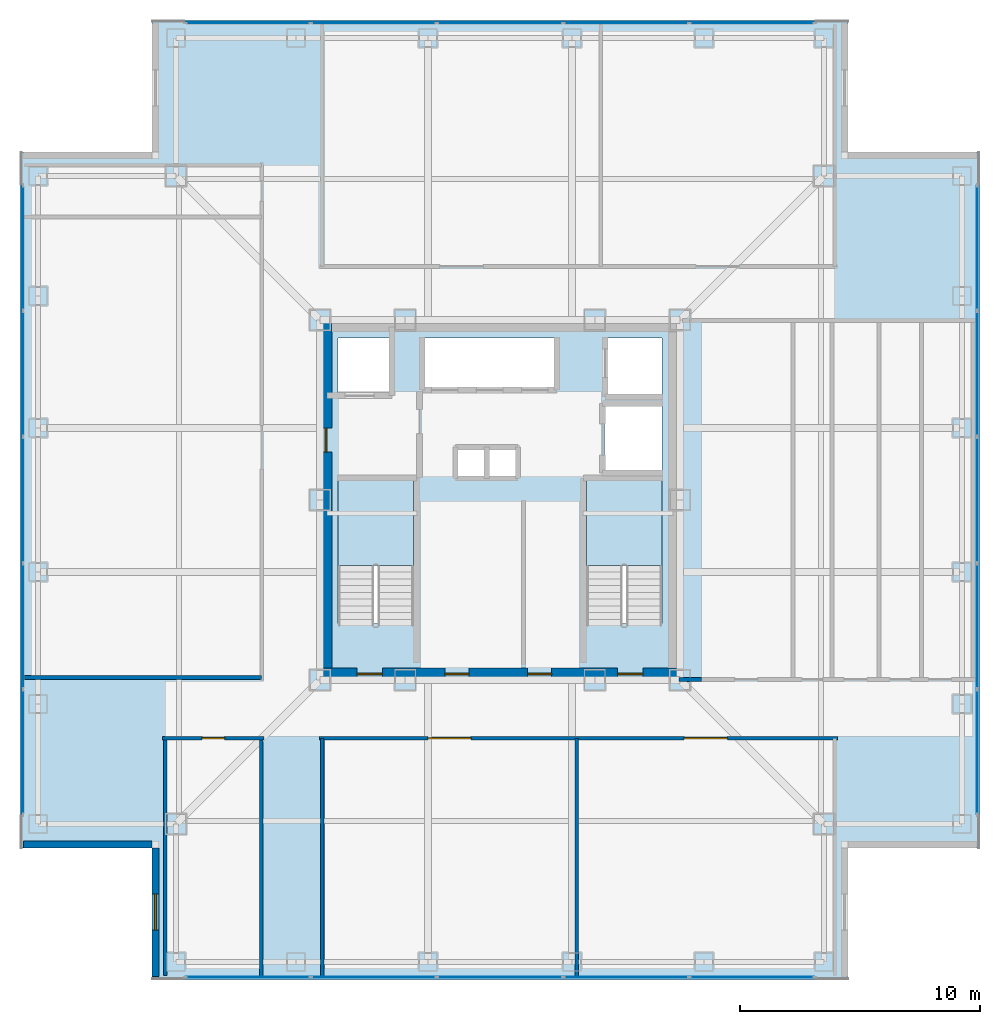
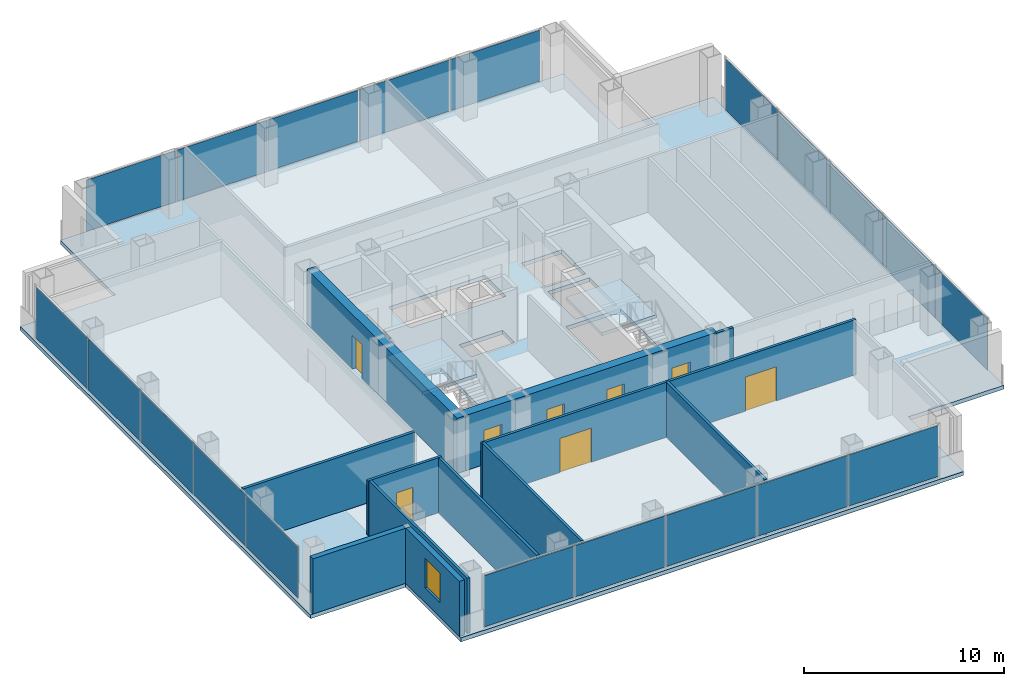
# One storey, part 10 of 18: 20 plates, 12 walls, 8 doors, 3 slabs, 1 window, 9 openings, 6 elements without a shape of their own.
"""IFC4 building model written with IfcOpenShell, lengths in metres."""

from ifc_helpers import new_model, si_unit, direction, frame, frame_2d, origin, origin_2d, place, context, subcontext, project, spatial, polyline, rectangle, outline, extrude, material, layer, layer_set, type_object, element, fill, aggregate, save


model = new_model("IFC4")

# Units and contexts
model_context = context("Model", 3, precision=1e-05, world=origin(), true_north=direction((0.0, 1.0)))
body_context = subcontext(model_context, "Body", "Model", "MODEL_VIEW")
ifc_project = project(units=[si_unit("LENGTHUNIT", "METRE"), si_unit("AREAUNIT", "SQUARE_METRE"), si_unit("VOLUMEUNIT", "CUBIC_METRE"), si_unit("PLANEANGLEUNIT", "RADIAN"), si_unit("MASSUNIT", "GRAM", prefix="KILO")], contexts=[model_context])

# Site, building, storey
site_placement = place(None, origin())
site = spatial("IfcSite", under=ifc_project, at=site_placement, CompositionType="ELEMENT")
building_placement = place(site_placement, origin())
building = spatial("IfcBuilding", under=site, at=building_placement, Name="Trevonay Congress Spire", CompositionType="ELEMENT")
storey_placement = place(building_placement, frame((0.0, 0.0, 198.60009765625)))
storey = spatial("IfcBuildingStorey", under=building, at=storey_placement, Name="L51", CompositionType="ELEMENT", Elevation=198.60009765625)

# Curtain wall, plates
ifc_material_1 = material(Name="Pale Anodised Aluminium EN AW-6063-T6", Category="aluminium")
ifc_layer_1 = layer(ifc_material_1, 0.169921875, Name="Pale Anodised Aluminium EN AW-6063-T6")
ifc_layer_set_1 = layer_set([ifc_layer_1], Name="Pale Anodised Aluminium EN AW-6063-T6")
curtain_wall_type = type_object("IfcCurtainWallType", Name="CW-SYS04-CORP-PALE-METAL", PredefinedType="NOTDEFINED", material=ifc_layer_set_1)
curtain_wall_1_placement = place(storey_placement, origin())
curtain_wall_1 = element("IfcCurtainWall", 1, at=curtain_wall_1_placement, inside=storey, type_object=curtain_wall_type, Name="L51 S unitised curtain wall", PredefinedType="NOTDEFINED")
ifc_material_2 = material(Name="Insulated Low-E Vision Glass IGU", Category="glass")
ifc_layer_2 = layer(ifc_material_2, 0.035888671875, Name="Insulated Low-E Vision Glass IGU")
ifc_layer_set_2 = layer_set([ifc_layer_2], Name="Insulated Low-E Vision Glass IGU")
plate_type = type_object("IfcPlateType", Name="CW-PANEL-IGU36-SILVER", PredefinedType="CURTAIN_PANEL", material=ifc_layer_set_2)
plate_1_placement = place(storey_placement, frame((-10.5048828125, -19.8798828125, 0.119873046875), z_axis=(0.0, 0.0, 1.0), x_axis=(1.0, 0.0, 0.0)))
plate_1 = element("IfcPlate", 2, at=plate_1_placement, type_object=plate_type, Name="CW04 panel 1.1", PredefinedType="CURTAIN_PANEL", context=body_context, shape_type="SweptSolid", body=[
    extrude(rectangle(XDim=5.169921875, YDim=0.035888671875, at=origin_2d()), origin(), (0.0, 0.0, 1.0), 3.1201171875),
])
plate_2_placement = place(storey_placement, frame((-5.260009765625, -19.8798828125, 0.119873046875), z_axis=(0.0, 0.0, 1.0), x_axis=(1.0, 0.0, 0.0)))
plate_2 = element("IfcPlate", 3, at=plate_2_placement, type_object=plate_type, Name="CW04 panel 2.1", PredefinedType="CURTAIN_PANEL", context=body_context, shape_type="SweptSolid", body=[
    extrude(rectangle(XDim=5.199951171875, YDim=0.035888671875, at=origin_2d()), origin(), (0.0, 0.0, 1.0), 3.1201171875),
])
plate_3_placement = place(storey_placement, frame((0.0, -19.8798828125, 0.119873046875), z_axis=(0.0, 0.0, 1.0), x_axis=(1.0, 0.0, 0.0)))
plate_3 = element("IfcPlate", 4, at=plate_3_placement, type_object=plate_type, Name="CW04 panel 3.1", PredefinedType="CURTAIN_PANEL", context=body_context, shape_type="SweptSolid", body=[
    extrude(rectangle(XDim=5.199951171875, YDim=0.035888671875, at=origin_2d()), origin(), (0.0, 0.0, 1.0), 3.1201171875),
])
plate_4_placement = place(storey_placement, frame((5.260009765625, -19.8798828125, 0.119873046875), z_axis=(0.0, 0.0, 1.0), x_axis=(1.0, 0.0, 0.0)))
plate_4 = element("IfcPlate", 5, at=plate_4_placement, type_object=plate_type, Name="CW04 panel 4.1", PredefinedType="CURTAIN_PANEL", context=body_context, shape_type="SweptSolid", body=[
    extrude(rectangle(XDim=5.199951171875, YDim=0.035888671875, at=origin_2d()), origin(), (0.0, 0.0, 1.0), 3.1201171875),
])
plate_5_placement = place(storey_placement, frame((10.5048828125, -19.8798828125, 0.119873046875), z_axis=(0.0, 0.0, 1.0), x_axis=(1.0, 0.0, 0.0)))
plate_5 = element("IfcPlate", 6, at=plate_5_placement, type_object=plate_type, Name="CW04 panel 5.1", PredefinedType="CURTAIN_PANEL", context=body_context, shape_type="SweptSolid", body=[
    extrude(rectangle(XDim=5.169921875, YDim=0.035888671875, at=origin_2d()), origin(), (0.0, 0.0, 1.0), 3.1201171875),
])
aggregate(curtain_wall_1, [plate_1, plate_2, plate_3, plate_4, plate_5])

curtain_wall_2_placement = place(storey_placement, origin())
curtain_wall_2 = element("IfcCurtainWall", 7, at=curtain_wall_2_placement, inside=storey, type_object=curtain_wall_type, Name="L51 N unitised curtain wall", PredefinedType="NOTDEFINED")
plate_6_placement = place(storey_placement, frame((-10.5048828125, 19.8798828125, 0.119873046875), z_axis=(0.0, 0.0, 1.0), x_axis=(1.0, 0.0, 0.0)))
plate_6 = element("IfcPlate", 8, at=plate_6_placement, type_object=plate_type, Name="CW04 panel 1.1", PredefinedType="CURTAIN_PANEL", context=body_context, shape_type="SweptSolid", body=[
    extrude(rectangle(XDim=5.169921875, YDim=0.035888671875, at=origin_2d()), origin(), (0.0, 0.0, 1.0), 3.1201171875),
])
plate_7_placement = place(storey_placement, frame((-5.260009765625, 19.8798828125, 0.119873046875), z_axis=(0.0, 0.0, 1.0), x_axis=(1.0, 0.0, 0.0)))
plate_7 = element("IfcPlate", 9, at=plate_7_placement, type_object=plate_type, Name="CW04 panel 2.1", PredefinedType="CURTAIN_PANEL", context=body_context, shape_type="SweptSolid", body=[
    extrude(rectangle(XDim=5.199951171875, YDim=0.035888671875, at=origin_2d()), origin(), (0.0, 0.0, 1.0), 3.1201171875),
])
plate_8_placement = place(storey_placement, frame((0.0, 19.8798828125, 0.119873046875), z_axis=(0.0, 0.0, 1.0), x_axis=(1.0, 0.0, 0.0)))
plate_8 = element("IfcPlate", 10, at=plate_8_placement, type_object=plate_type, Name="CW04 panel 3.1", PredefinedType="CURTAIN_PANEL", context=body_context, shape_type="SweptSolid", body=[
    extrude(rectangle(XDim=5.199951171875, YDim=0.035888671875, at=origin_2d()), origin(), (0.0, 0.0, 1.0), 3.1201171875),
])
plate_9_placement = place(storey_placement, frame((5.260009765625, 19.8798828125, 0.119873046875), z_axis=(0.0, 0.0, 1.0), x_axis=(1.0, 0.0, 0.0)))
plate_9 = element("IfcPlate", 11, at=plate_9_placement, type_object=plate_type, Name="CW04 panel 4.1", PredefinedType="CURTAIN_PANEL", context=body_context, shape_type="SweptSolid", body=[
    extrude(rectangle(XDim=5.199951171875, YDim=0.035888671875, at=origin_2d()), origin(), (0.0, 0.0, 1.0), 3.1201171875),
])
plate_10_placement = place(storey_placement, frame((10.5048828125, 19.8798828125, 0.119873046875), z_axis=(0.0, 0.0, 1.0), x_axis=(1.0, 0.0, 0.0)))
plate_10 = element("IfcPlate", 12, at=plate_10_placement, type_object=plate_type, Name="CW04 panel 5.1", PredefinedType="CURTAIN_PANEL", context=body_context, shape_type="SweptSolid", body=[
    extrude(rectangle(XDim=5.169921875, YDim=0.035888671875, at=origin_2d()), origin(), (0.0, 0.0, 1.0), 3.1201171875),
])
aggregate(curtain_wall_2, [plate_6, plate_7, plate_8, plate_9, plate_10])

curtain_wall_3_placement = place(storey_placement, origin())
curtain_wall_3 = element("IfcCurtainWall", 13, at=curtain_wall_3_placement, inside=storey, type_object=curtain_wall_type, Name="L51 W unitised curtain wall", PredefinedType="NOTDEFINED")
plate_11_placement = place(storey_placement, frame((-19.8798828125, -10.5048828125, 0.119873046875), z_axis=(0.0, 0.0, 1.0), x_axis=(0.0, 1.0, 0.0)))
plate_11 = element("IfcPlate", 14, at=plate_11_placement, type_object=plate_type, Name="CW04 panel 1.1", PredefinedType="CURTAIN_PANEL", context=body_context, shape_type="SweptSolid", body=[
    extrude(rectangle(XDim=5.169921875, YDim=0.035888671875, at=origin_2d()), origin(), (0.0, 0.0, 1.0), 3.1201171875),
])
plate_12_placement = place(storey_placement, frame((-19.8798828125, -5.260009765625, 0.119873046875), z_axis=(0.0, 0.0, 1.0), x_axis=(0.0, 1.0, 0.0)))
plate_12 = element("IfcPlate", 15, at=plate_12_placement, type_object=plate_type, Name="CW04 panel 2.1", PredefinedType="CURTAIN_PANEL", context=body_context, shape_type="SweptSolid", body=[
    extrude(rectangle(XDim=5.199951171875, YDim=0.035888671875, at=origin_2d()), origin(), (0.0, 0.0, 1.0), 3.1201171875),
])
plate_13_placement = place(storey_placement, frame((-19.8798828125, 0.0, 0.119873046875), z_axis=(0.0, 0.0, 1.0), x_axis=(0.0, 1.0, 0.0)))
plate_13 = element("IfcPlate", 16, at=plate_13_placement, type_object=plate_type, Name="CW04 panel 3.1", PredefinedType="CURTAIN_PANEL", context=body_context, shape_type="SweptSolid", body=[
    extrude(rectangle(XDim=5.199951171875, YDim=0.035888671875, at=origin_2d()), origin(), (0.0, 0.0, 1.0), 3.1201171875),
])
plate_14_placement = place(storey_placement, frame((-19.8798828125, 5.260009765625, 0.119873046875), z_axis=(0.0, 0.0, 1.0), x_axis=(0.0, 1.0, 0.0)))
plate_14 = element("IfcPlate", 17, at=plate_14_placement, type_object=plate_type, Name="CW04 panel 4.1", PredefinedType="CURTAIN_PANEL", context=body_context, shape_type="SweptSolid", body=[
    extrude(rectangle(XDim=5.199951171875, YDim=0.035888671875, at=origin_2d()), origin(), (0.0, 0.0, 1.0), 3.1201171875),
])
plate_15_placement = place(storey_placement, frame((-19.8798828125, 10.5048828125, 0.119873046875), z_axis=(0.0, 0.0, 1.0), x_axis=(0.0, 1.0, 0.0)))
plate_15 = element("IfcPlate", 18, at=plate_15_placement, type_object=plate_type, Name="CW04 panel 5.1", PredefinedType="CURTAIN_PANEL", context=body_context, shape_type="SweptSolid", body=[
    extrude(rectangle(XDim=5.169921875, YDim=0.035888671875, at=origin_2d()), origin(), (0.0, 0.0, 1.0), 3.1201171875),
])
aggregate(curtain_wall_3, [plate_11, plate_12, plate_13, plate_14, plate_15])

curtain_wall_4_placement = place(storey_placement, origin())
curtain_wall_4 = element("IfcCurtainWall", 19, at=curtain_wall_4_placement, inside=storey, type_object=curtain_wall_type, Name="L51 E unitised curtain wall", PredefinedType="NOTDEFINED")
plate_16_placement = place(storey_placement, frame((19.8798828125, -10.5048828125, 0.119873046875), z_axis=(0.0, 0.0, 1.0), x_axis=(0.0, 1.0, 0.0)))
plate_16 = element("IfcPlate", 20, at=plate_16_placement, type_object=plate_type, Name="CW04 panel 1.1", PredefinedType="CURTAIN_PANEL", context=body_context, shape_type="SweptSolid", body=[
    extrude(rectangle(XDim=5.169921875, YDim=0.035888671875, at=origin_2d()), origin(), (0.0, 0.0, 1.0), 3.1201171875),
])
plate_17_placement = place(storey_placement, frame((19.8798828125, -5.260009765625, 0.119873046875), z_axis=(0.0, 0.0, 1.0), x_axis=(0.0, 1.0, 0.0)))
plate_17 = element("IfcPlate", 21, at=plate_17_placement, type_object=plate_type, Name="CW04 panel 2.1", PredefinedType="CURTAIN_PANEL", context=body_context, shape_type="SweptSolid", body=[
    extrude(rectangle(XDim=5.199951171875, YDim=0.035888671875, at=origin_2d()), origin(), (0.0, 0.0, 1.0), 3.1201171875),
])
plate_18_placement = place(storey_placement, frame((19.8798828125, 0.0, 0.119873046875), z_axis=(0.0, 0.0, 1.0), x_axis=(0.0, 1.0, 0.0)))
plate_18 = element("IfcPlate", 22, at=plate_18_placement, type_object=plate_type, Name="CW04 panel 3.1", PredefinedType="CURTAIN_PANEL", context=body_context, shape_type="SweptSolid", body=[
    extrude(rectangle(XDim=5.199951171875, YDim=0.035888671875, at=origin_2d()), origin(), (0.0, 0.0, 1.0), 3.1201171875),
])
plate_19_placement = place(storey_placement, frame((19.8798828125, 5.260009765625, 0.119873046875), z_axis=(0.0, 0.0, 1.0), x_axis=(0.0, 1.0, 0.0)))
plate_19 = element("IfcPlate", 23, at=plate_19_placement, type_object=plate_type, Name="CW04 panel 4.1", PredefinedType="CURTAIN_PANEL", context=body_context, shape_type="SweptSolid", body=[
    extrude(rectangle(XDim=5.199951171875, YDim=0.035888671875, at=origin_2d()), origin(), (0.0, 0.0, 1.0), 3.1201171875),
])
plate_20_placement = place(storey_placement, frame((19.8798828125, 10.5048828125, 0.119873046875), z_axis=(0.0, 0.0, 1.0), x_axis=(0.0, 1.0, 0.0)))
plate_20 = element("IfcPlate", 24, at=plate_20_placement, type_object=plate_type, Name="CW04 panel 5.1", PredefinedType="CURTAIN_PANEL", context=body_context, shape_type="SweptSolid", body=[
    extrude(rectangle(XDim=5.169921875, YDim=0.035888671875, at=origin_2d()), origin(), (0.0, 0.0, 1.0), 3.1201171875),
])
aggregate(curtain_wall_4, [plate_16, plate_17, plate_18, plate_19, plate_20])

# Stair, slab
ifc_material_3 = material(Name="Concrete C40/50", Category="concrete")
stair_type_1 = type_object("IfcStairType", Name="STR-ST-1", PredefinedType="HALF_TURN_STAIR", material=ifc_material_3)
stair_1_placement = place(storey_placement, origin())
stair_1 = element("IfcStair", 25, at=stair_1_placement, inside=storey, type_object=stair_type_1, Name="L51 Protected Exit Stair ST-1", PredefinedType="HALF_TURN_STAIR")
ifc_layer_3 = layer(ifc_material_3, 0.199951171875, Name="Concrete C40/50")
ifc_layer_set_3 = layer_set([ifc_layer_3], Name="Concrete C40/50")
slab_type_1 = type_object("IfcSlabType", Name="SLB-STAIR-LAND-200", PredefinedType="LANDING", material=ifc_layer_set_3)
slab_1_placement = place(storey_placement, frame((0.0, 0.0, 1.599853515625)))
slab_1 = element("IfcSlab", 26, at=slab_1_placement, type_object=slab_type_1, Name="ST-1 landing 1", PredefinedType="LANDING", context=body_context, shape_type="SweptSolid", body=[
    extrude(outline(polyline([(-3.60009765625, -2.72998046875), (-3.60009765625, 0.85009765625), (-6.75, 0.85009765625), (-6.75, -2.72998046875), (-3.60009765625, -2.72998046875)])), origin(), (0.0, 0.0, 1.0), 0.199951171875),
])
aggregate(stair_1, [slab_1])

stair_type_2 = type_object("IfcStairType", Name="STR-ST-2", PredefinedType="HALF_TURN_STAIR", material=ifc_material_3)
stair_2_placement = place(storey_placement, origin())
stair_2 = element("IfcStair", 27, at=stair_2_placement, inside=storey, type_object=stair_type_2, Name="L51 Protected Exit Stair ST-2", PredefinedType="HALF_TURN_STAIR")
slab_2_placement = place(storey_placement, frame((0.0, 0.0, 1.599853515625)))
slab_2 = element("IfcSlab", 28, at=slab_2_placement, type_object=slab_type_1, Name="ST-2 landing 1", PredefinedType="LANDING", context=body_context, shape_type="SweptSolid", body=[
    extrude(outline(polyline([(6.75, -2.72998046875), (6.75, 0.85009765625), (3.60009765625, 0.85009765625), (3.60009765625, -2.72998046875), (6.75, -2.72998046875)])), origin(), (0.0, 0.0, 1.0), 0.199951171875),
])
aggregate(stair_2, [slab_2])

# Slab
ifc_layer_4 = layer(ifc_material_3, 0.239990234375, Name="Concrete C40/50")
ifc_layer_set_4 = layer_set([ifc_layer_4], Name="Concrete C40/50")
slab_type_2 = type_object("IfcSlabType", Name="SLB-TOW2-240", PredefinedType="FLOOR", material=ifc_layer_set_4)
slab_3_placement = place(storey_placement, frame((0.0, 0.0, -0.239990234375)))
element("IfcSlab", 29, at=slab_3_placement, inside=storey, type_object=slab_type_2, Name="L51 structural floor slab", PredefinedType="FLOOR", context=body_context, shape_type="SweptSolid", body=[
    extrude(outline(polyline([(-14.5, -20.0), (14.5, -20.0), (14.5, -14.5), (20.0, -14.5), (20.0, 14.5), (14.5, 14.5), (14.5, 20.0), (-14.5, 20.0), (-14.5, 14.5), (-20.0, 14.5), (-20.0, -14.5), (-14.5, -14.5), (-14.5, -20.0)]), holes=[polyline([(-3.60009765625, -5.14990234375), (-3.60009765625, 0.85009765625), (-6.75, 0.85009765625), (-6.75, -5.14990234375), (-3.60009765625, -5.14990234375)]), polyline([(6.75, -5.14990234375), (6.75, 0.85009765625), (3.60009765625, 0.85009765625), (3.60009765625, -5.14990234375), (6.75, -5.14990234375)]), polyline([(-3.199951171875, 4.64990234375), (2.340087890625, 4.64990234375), (2.340087890625, 6.75), (-3.199951171875, 6.75), (-3.199951171875, 4.64990234375)]), polyline([(-6.75, 4.35009765625), (-4.449951171875, 4.35009765625), (-4.449951171875, 6.75), (-6.75, 6.75), (-6.75, 4.35009765625)]), polyline([(4.449951171875, 4.35009765625), (6.75, 4.35009765625), (6.75, 6.75), (4.449951171875, 6.75), (4.449951171875, 4.35009765625)]), polyline([(4.35009765625, 1.199951171875), (6.75, 1.199951171875), (6.75, 3.949951171875), (4.35009765625, 3.949951171875), (4.35009765625, 1.199951171875)]), polyline([(-1.800048828125, 0.949951171875), (0.699951171875, 0.949951171875), (0.699951171875, 2.14990234375), (-1.800048828125, 2.14990234375), (-1.800048828125, 0.949951171875)])]), origin(), (0.0, 0.0, 1.0), 0.239990234375),
])

# Wall, openings, doors
ifc_material_4 = material(Name="Concrete C50/60", Category="concrete")
ifc_layer_5 = layer(ifc_material_4, 0.5, Name="Concrete C50/60")
ifc_layer_set_5 = layer_set([ifc_layer_5], Name="Concrete C50/60")
wall_type_1 = type_object("IfcWallType", Name="WAL-CORE-500", PredefinedType="SHEAR", material=ifc_layer_set_5)
wall_1_placement = place(storey_placement, frame((-7.5, -7.25, 0.0), z_axis=(0.0, 0.0, 1.0), x_axis=(1.0, 0.0, 0.0)))
wall_1 = element("IfcWall", 30, at=wall_1_placement, inside=storey, type_object=wall_type_1, Name="L51 South structural core shear wall", PredefinedType="SHEAR", context=body_context, shape_type="SweptSolid", body=[
    extrude(rectangle(XDim=15.0, YDim=0.5, at=frame_2d((7.5, 0.0))), origin(), (0.0, 0.0, 1.0), 3.35986328125),
])
opening_1_placement = place(wall_1_placement, frame((1.550048828125, 0.0, 0.0)))
opening_1 = element("IfcOpeningElement", 31, at=opening_1_placement, cuts=wall_1, Name="Opening D05", PredefinedType="OPENING", context=body_context, shape_type="SweptSolid", body=[
    extrude(rectangle(XDim=1.050048828125, YDim=2.080078125, at=frame_2d((0.52490234375, 1.0400390625))), frame((0.0, 0.260009765625, 0.0), z_axis=(0.0, -1.0, 0.0), x_axis=(1.0, 0.0, 0.0)), (0.0, 0.0, 1.0), 0.52001953125),
])
opening_2_placement = place(wall_1_placement, frame((12.39990234375, 0.0, 0.0)))
opening_2 = element("IfcOpeningElement", 32, at=opening_2_placement, cuts=wall_1, Name="Opening D05", PredefinedType="OPENING", context=body_context, shape_type="SweptSolid", body=[
    extrude(rectangle(XDim=1.050048828125, YDim=2.080078125, at=frame_2d((0.52490234375, 1.0400390625))), frame((0.0, 0.260009765625, 0.0), z_axis=(0.0, -1.0, 0.0), x_axis=(1.0, 0.0, 0.0)), (0.0, 0.0, 1.0), 0.52001953125),
])
opening_3_placement = place(wall_1_placement, frame((5.199951171875, 0.0, 0.0)))
opening_3 = element("IfcOpeningElement", 33, at=opening_3_placement, cuts=wall_1, Name="Opening D06", PredefinedType="OPENING", context=body_context, shape_type="SweptSolid", body=[
    extrude(rectangle(XDim=1.0, YDim=2.080078125, at=frame_2d((0.5, 1.0400390625))), frame((0.0, 0.260009765625, 0.0), z_axis=(0.0, -1.0, 0.0), x_axis=(1.0, 0.0, 0.0)), (0.0, 0.0, 1.0), 0.52001953125),
])
opening_4_placement = place(wall_1_placement, frame((8.64990234375, 0.0, 0.0)))
opening_4 = element("IfcOpeningElement", 34, at=opening_4_placement, cuts=wall_1, Name="Opening D06", PredefinedType="OPENING", context=body_context, shape_type="SweptSolid", body=[
    extrude(rectangle(XDim=1.0, YDim=2.080078125, at=frame_2d((0.5, 1.0400390625))), frame((0.0, 0.260009765625, 0.0), z_axis=(0.0, -1.0, 0.0), x_axis=(1.0, 0.0, 0.0)), (0.0, 0.0, 1.0), 0.52001953125),
])
ifc_material_5 = material(Name="Steel ASTM A572 Grade 50", Category="steel")
door_type_1 = type_object("IfcDoorType", Name="DOR-FIRE-100", OperationType="NOTDEFINED", PredefinedType="DOOR", material=ifc_material_5)
door_1_placement = place(opening_3_placement, origin())
door_1 = element("IfcDoor", 35, at=door_1_placement, inside=storey, type_object=door_type_1, Name="L51 South Core Room 1 Door", OperationType="SINGLE_SWING_LEFT", OverallHeight=2.080078125, OverallWidth=1.0, PredefinedType="DOOR", context=body_context, shape_type="SweptSolid", body=[
    extrude(rectangle(XDim=1.0, YDim=2.080078125, at=frame_2d((0.5, 1.0400390625))), frame((0.0, 0.02490234375, 0.0), z_axis=(0.0, -1.0, 0.0), x_axis=(1.0, 0.0, 0.0)), (0.0, 0.0, 1.0), 0.050048828125),
])
fill(opening_3, door_1)
door_2_placement = place(opening_4_placement, origin())
door_2 = element("IfcDoor", 36, at=door_2_placement, inside=storey, type_object=door_type_1, Name="L51 South Core Room 2 Door", OperationType="SINGLE_SWING_RIGHT", OverallHeight=2.080078125, OverallWidth=1.0, PredefinedType="DOOR", context=body_context, shape_type="SweptSolid", body=[
    extrude(rectangle(XDim=1.0, YDim=2.080078125, at=frame_2d((0.5, 1.0400390625))), frame((0.0, 0.02490234375, 0.0), z_axis=(0.0, -1.0, 0.0), x_axis=(1.0, 0.0, 0.0)), (0.0, 0.0, 1.0), 0.050048828125),
])
fill(opening_4, door_2)
door_type_2 = type_object("IfcDoorType", Name="DOR-STAIR-110", OperationType="NOTDEFINED", PredefinedType="DOOR", material=ifc_material_5)
door_3_placement = place(opening_1_placement, origin())
door_3 = element("IfcDoor", 37, at=door_3_placement, inside=storey, type_object=door_type_2, Name="L51 Protected Stair ST-1 Door", OperationType="SINGLE_SWING_RIGHT", OverallHeight=2.080078125, OverallWidth=1.050048828125, PredefinedType="DOOR", context=body_context, shape_type="SweptSolid", body=[
    extrude(rectangle(XDim=1.050048828125, YDim=2.080078125, at=frame_2d((0.52490234375, 1.0400390625))), frame((0.0, 0.02490234375, 0.0), z_axis=(0.0, -1.0, 0.0), x_axis=(1.0, 0.0, 0.0)), (0.0, 0.0, 1.0), 0.050048828125),
])
fill(opening_1, door_3)
door_4_placement = place(opening_2_placement, origin())
door_4 = element("IfcDoor", 38, at=door_4_placement, inside=storey, type_object=door_type_2, Name="L51 Protected Stair ST-2 Door", OperationType="SINGLE_SWING_LEFT", OverallHeight=2.080078125, OverallWidth=1.050048828125, PredefinedType="DOOR", context=body_context, shape_type="SweptSolid", body=[
    extrude(rectangle(XDim=1.050048828125, YDim=2.080078125, at=frame_2d((0.52490234375, 1.0400390625))), frame((0.0, 0.02490234375, 0.0), z_axis=(0.0, -1.0, 0.0), x_axis=(1.0, 0.0, 0.0)), (0.0, 0.0, 1.0), 0.050048828125),
])
fill(opening_2, door_4)

# Wall, opening, door
wall_2_placement = place(storey_placement, frame((-7.25, -7.5, 0.0), z_axis=(0.0, 0.0, 1.0), x_axis=(0.0, 1.0, 0.0)))
wall_2 = element("IfcWall", 39, at=wall_2_placement, inside=storey, type_object=wall_type_1, Name="L51 West structural core shear wall", PredefinedType="SHEAR", context=body_context, shape_type="SweptSolid", body=[
    extrude(rectangle(XDim=15.0, YDim=0.5, at=frame_2d((7.5, 0.0))), origin(), (0.0, 0.0, 1.0), 3.35986328125),
])
opening_5_placement = place(wall_2_placement, frame((9.5, 0.0, 0.0)))
opening_5 = element("IfcOpeningElement", 40, at=opening_5_placement, cuts=wall_2, Name="Opening D06", PredefinedType="OPENING", context=body_context, shape_type="SweptSolid", body=[
    extrude(rectangle(XDim=1.0, YDim=2.080078125, at=frame_2d((0.5, 1.0400390625))), frame((0.0, 0.260009765625, 0.0), z_axis=(0.0, -1.0, 0.0), x_axis=(1.0, 0.0, 0.0)), (0.0, 0.0, 1.0), 0.52001953125),
])
door_5_placement = place(opening_5_placement, origin())
door_5 = element("IfcDoor", 41, at=door_5_placement, inside=storey, type_object=door_type_1, Name="L51 Firefighting Lift Lobby West Corridor Door", OperationType="SINGLE_SWING_RIGHT", OverallHeight=2.080078125, OverallWidth=1.0, PredefinedType="DOOR", context=body_context, shape_type="SweptSolid", body=[
    extrude(rectangle(XDim=1.0, YDim=2.080078125, at=frame_2d((0.5, 1.0400390625))), frame((0.0, 0.02490234375, 0.0), z_axis=(0.0, -1.0, 0.0), x_axis=(1.0, 0.0, 0.0)), (0.0, 0.0, 1.0), 0.050048828125),
])
fill(opening_5, door_5)

ifc_layer_6 = layer(ifc_material_3, 0.14990234375, Name="Concrete C40/50")
ifc_layer_set_6 = layer_set([ifc_layer_6], Name="Concrete C40/50")
wall_type_2 = type_object("IfcWallType", Name="WAL-CORR-150", PredefinedType="PARTITIONING", material=ifc_layer_set_6)
wall_3_placement = place(storey_placement, frame((-14.070068359375, -9.929931640625, 0.0), z_axis=(0.0, 0.0, 1.0), x_axis=(1.0, 0.0, 0.0)))
wall_3 = element("IfcWall", 42, at=wall_3_placement, inside=storey, type_object=wall_type_2, Name="L51 interior wall WP-L51SW-COR", PredefinedType="PARTITIONING", context=body_context, shape_type="SweptSolid", body=[
    extrude(rectangle(XDim=4.239990234375, YDim=0.14990234375, at=frame_2d((2.1201171875, 0.0))), origin(), (0.0, 0.0, 1.0), 3.35986328125),
])
opening_6_placement = place(wall_3_placement, frame((1.64501953125, 0.0, 0.0)))
opening_6 = element("IfcOpeningElement", 43, at=opening_6_placement, cuts=wall_3, Name="Opening D07", PredefinedType="OPENING", context=body_context, shape_type="SweptSolid", body=[
    extrude(rectangle(XDim=0.949951171875, YDim=2.06005859375, at=frame_2d((0.47509765625, 1.030029296875))), frame((0.0, 0.0849609375, 0.0), z_axis=(0.0, -1.0, 0.0), x_axis=(1.0, 0.0, 0.0)), (0.0, 0.0, 1.0), 0.169921875),
])
door_type_3 = type_object("IfcDoorType", Name="DOR-OFFICE-95", OperationType="NOTDEFINED", PredefinedType="DOOR", material=ifc_material_1)
door_6_placement = place(opening_6_placement, origin())
door_6 = element("IfcDoor", 44, at=door_6_placement, inside=storey, type_object=door_type_3, Name="L51 Sommelier Wine Tasting Cellar Door", OperationType="SINGLE_SWING_RIGHT", OverallHeight=2.06005859375, OverallWidth=0.949951171875, PredefinedType="DOOR", context=body_context, shape_type="SweptSolid", body=[
    extrude(rectangle(XDim=0.949951171875, YDim=2.06005859375, at=frame_2d((0.47509765625, 1.030029296875))), frame((0.0, 0.02490234375, 0.0), z_axis=(0.0, -1.0, 0.0), x_axis=(1.0, 0.0, 0.0)), (0.0, 0.0, 1.0), 0.050048828125),
])
fill(opening_6, door_6)

# Wall, openings, doors
wall_4_placement = place(storey_placement, frame((-7.52001953125, -9.929931640625, 0.0), z_axis=(0.0, 0.0, 1.0), x_axis=(1.0, 0.0, 0.0)))
wall_4 = element("IfcWall", 45, at=wall_4_placement, inside=storey, type_object=wall_type_2, Name="L51 interior wall WP-L51SE-COR", PredefinedType="PARTITIONING", context=body_context, shape_type="SweptSolid", body=[
    extrude(rectangle(XDim=21.590087890625, YDim=0.14990234375, at=frame_2d((10.794921875, 0.0))), origin(), (0.0, 0.0, 1.0), 3.35986328125),
])
opening_7_placement = place(wall_4_placement, frame((4.52001953125, 0.0, 0.0)))
opening_7 = element("IfcOpeningElement", 46, at=opening_7_placement, cuts=wall_4, Name="Opening D09", PredefinedType="OPENING", context=body_context, shape_type="SweptSolid", body=[
    extrude(rectangle(XDim=1.800048828125, YDim=2.080078125, at=frame_2d((0.89990234375, 1.0400390625))), frame((0.0, 0.0849609375, 0.0), z_axis=(0.0, -1.0, 0.0), x_axis=(1.0, 0.0, 0.0)), (0.0, 0.0, 1.0), 0.169921875),
])
opening_8_placement = place(wall_4_placement, frame((15.195068359375, 0.0, 0.0)))
opening_8 = element("IfcOpeningElement", 47, at=opening_8_placement, cuts=wall_4, Name="Opening D09", PredefinedType="OPENING", context=body_context, shape_type="SweptSolid", body=[
    extrude(rectangle(XDim=1.800048828125, YDim=2.080078125, at=frame_2d((0.89990234375, 1.0400390625))), frame((0.0, 0.0849609375, 0.0), z_axis=(0.0, -1.0, 0.0), x_axis=(1.0, 0.0, 0.0)), (0.0, 0.0, 1.0), 0.169921875),
])
door_type_4 = type_object("IfcDoorType", Name="DOR-CONF-DBL", OperationType="DOUBLE_DOOR_SINGLE_SWING", PredefinedType="DOOR", material=ifc_material_1)
door_7_placement = place(opening_7_placement, origin())
door_7 = element("IfcDoor", 48, at=door_7_placement, inside=storey, type_object=door_type_4, Name="L51 Corporate Main Production Kitchen Door", OperationType="DOUBLE_DOOR_SINGLE_SWING", OverallHeight=2.080078125, OverallWidth=1.800048828125, PredefinedType="DOOR", context=body_context, shape_type="SweptSolid", body=[
    extrude(rectangle(XDim=1.800048828125, YDim=2.080078125, at=frame_2d((0.89990234375, 1.0400390625))), frame((0.0, 0.02490234375, 0.0), z_axis=(0.0, -1.0, 0.0), x_axis=(1.0, 0.0, 0.0)), (0.0, 0.0, 1.0), 0.050048828125),
])
fill(opening_7, door_7)
door_8_placement = place(opening_8_placement, origin())
door_8 = element("IfcDoor", 49, at=door_8_placement, inside=storey, type_object=door_type_4, Name="L51 Pastry and Garde-Manger Kitchen Door", OperationType="DOUBLE_DOOR_SINGLE_SWING", OverallHeight=2.080078125, OverallWidth=1.800048828125, PredefinedType="DOOR", context=body_context, shape_type="SweptSolid", body=[
    extrude(rectangle(XDim=1.800048828125, YDim=2.080078125, at=frame_2d((0.89990234375, 1.0400390625))), frame((0.0, 0.02490234375, 0.0), z_axis=(0.0, -1.0, 0.0), x_axis=(1.0, 0.0, 0.0)), (0.0, 0.0, 1.0), 0.050048828125),
])
fill(opening_8, door_8)

# Wall
wall_5_placement = place(storey_placement, frame((7.449951171875, -7.47998046875, 0.0), z_axis=(0.0, 0.0, 1.0), x_axis=(1.0, 0.0, 0.0)))
element("IfcWall", 50, at=wall_5_placement, inside=storey, type_object=wall_type_2, Name="L51 interior wall WP-L51E-STUB", PredefinedType="PARTITIONING", context=body_context, shape_type="SweptSolid", body=[
    extrude(rectangle(XDim=0.949951171875, YDim=0.14990234375, at=frame_2d((0.47509765625, 0.0))), origin(), (0.0, 0.0, 1.0), 3.35986328125),
])

# Wall, opening, window
ifc_material_6 = material(Name="Precast concrete C40/50", Category="concrete")
ifc_layer_7 = layer(ifc_material_6, 0.300048828125, Name="Precast concrete C40/50")
ifc_layer_set_7 = layer_set([ifc_layer_7], Name="Precast concrete C40/50")
wall_type_3 = type_object("IfcWallType", Name="WAL-EXT-PRECAST-300", PredefinedType="SOLIDWALL", material=ifc_layer_set_7)
wall_6_placement = place(storey_placement, frame((-14.35009765625, -19.85009765625, 0.0), z_axis=(0.0, 0.0, 1.0), x_axis=(0.0, 1.0, 0.0)))
wall_6 = element("IfcWall", 51, at=wall_6_placement, inside=storey, type_object=wall_type_3, Name="L51 SW re-entrant notch exterior wall 1", PredefinedType="SOLIDWALL", context=body_context, shape_type="SweptSolid", body=[
    extrude(rectangle(XDim=5.35009765625, YDim=0.300048828125, at=frame_2d((2.675048828125, 0.0))), origin(), (0.0, 0.0, 1.0), 3.35986328125),
])
opening_9_placement = place(wall_6_placement, frame((1.925048828125, 0.0, 0.89990234375)))
opening_9 = element("IfcOpeningElement", 52, at=opening_9_placement, cuts=wall_6, Name="Opening WN03", PredefinedType="OPENING", context=body_context, shape_type="SweptSolid", body=[
    extrude(rectangle(XDim=1.5, YDim=1.800048828125, at=frame_2d((0.75, 0.89990234375))), frame((0.0, 0.16015625, 0.0), z_axis=(0.0, -1.0, 0.0), x_axis=(1.0, 0.0, 0.0)), (0.0, 0.0, 1.0), 0.320068359375),
])
window_type = type_object("IfcWindowType", Name="WIN-NOTCH-150X180", PartitioningType="SINGLE_PANEL", PredefinedType="WINDOW", material=ifc_material_2)
window_placement = place(opening_9_placement, origin())
window = element("IfcWindow", 53, at=window_placement, inside=storey, type_object=window_type, Name="L51 SW corner notch window", OverallHeight=1.800048828125, OverallWidth=1.5, PartitioningType="SINGLE_PANEL", PredefinedType="WINDOW", context=body_context, shape_type="SweptSolid", body=[
    extrude(rectangle(XDim=1.5, YDim=1.800048828125, at=frame_2d((0.75, 0.89990234375))), frame((0.0, 0.030029296875, 0.0), z_axis=(0.0, -1.0, 0.0), x_axis=(1.0, 0.0, 0.0)), (0.0, 0.0, 1.0), 0.06005859375),
])
fill(opening_9, window)

# Walls
wall_7_placement = place(storey_placement, frame((-19.85009765625, -14.35009765625, 0.0), z_axis=(0.0, 0.0, 1.0), x_axis=(1.0, 0.0, 0.0)))
element("IfcWall", 54, at=wall_7_placement, inside=storey, type_object=wall_type_3, Name="L51 SW re-entrant notch exterior wall 2", PredefinedType="SOLIDWALL", context=body_context, shape_type="SweptSolid", body=[
    extrude(rectangle(XDim=5.35009765625, YDim=0.300048828125, at=frame_2d((2.675048828125, 0.0))), origin(), (0.0, 0.0, 1.0), 3.35986328125),
])
ifc_layer_8 = layer(ifc_material_3, 0.14990234375, Name="Concrete C40/50")
ifc_layer_set_8 = layer_set([ifc_layer_8], Name="Concrete C40/50")
wall_type_4 = type_object("IfcWallType", Name="WAL-PART-150", PredefinedType="PARTITIONING", material=ifc_layer_set_8)
for number, where, z_axis, x_axis, name in (
    (55, (-13.949951171875, -19.820068359375, 0.0), (0.0, 0.0, 1.0), (0.0, 1.0, 0.0), "L51 interior wall WP-L51SW-DIV1"),
    (56, (-9.949951171875, -19.820068359375, 0.0), (0.0, 0.0, 1.0), (0.0, 1.0, 0.0), "L51 interior wall WP-L51SW-DIV2"),
    (57, (-7.39990234375, -19.820068359375, 0.0), (0.0, 0.0, 1.0), (0.0, 1.0, 0.0), "L51 interior wall WP-L51SE-DIV1"),
    (58, (3.199951171875, -19.820068359375, 0.0), (0.0, 0.0, 1.0), (0.0, 1.0, 0.0), "L51 interior wall WP-L51SE-DIV2"),
):
    element("IfcWall", number, at=place(storey_placement, frame(where, z_axis=z_axis, x_axis=x_axis)), inside=storey, type_object=wall_type_4, Name=name, PredefinedType="PARTITIONING", context=body_context, shape_type="SweptSolid", body=[
        extrude(rectangle(XDim=9.89013671875, YDim=0.14990234375, at=frame_2d((4.945068359375, 0.0))), origin(), (0.0, 0.0, 1.0), 3.35986328125),
    ])
ifc_layer_9 = layer(ifc_material_3, 0.1650390625, Name="Concrete C40/50")
ifc_layer_set_9 = layer_set([ifc_layer_9], Name="Concrete C40/50")
wall_type_5 = type_object("IfcWallType", Name="WAL-WET-165", PredefinedType="PLUMBINGWALL", material=ifc_layer_set_9)
wall_8_placement = place(storey_placement, frame((-19.820068359375, -7.39990234375, 0.0), z_axis=(0.0, 0.0, 1.0), x_axis=(1.0, 0.0, 0.0)))
element("IfcWall", 59, at=wall_8_placement, inside=storey, type_object=wall_type_5, Name="L51 interior wall WP-L51NW-DIV1", PredefinedType="PLUMBINGWALL", context=body_context, shape_type="SweptSolid", body=[
    extrude(rectangle(XDim=9.89013671875, YDim=0.1650390625, at=frame_2d((4.945068359375, 0.0))), origin(), (0.0, 0.0, 1.0), 3.35986328125),
])

save(model, "model.ifc")
